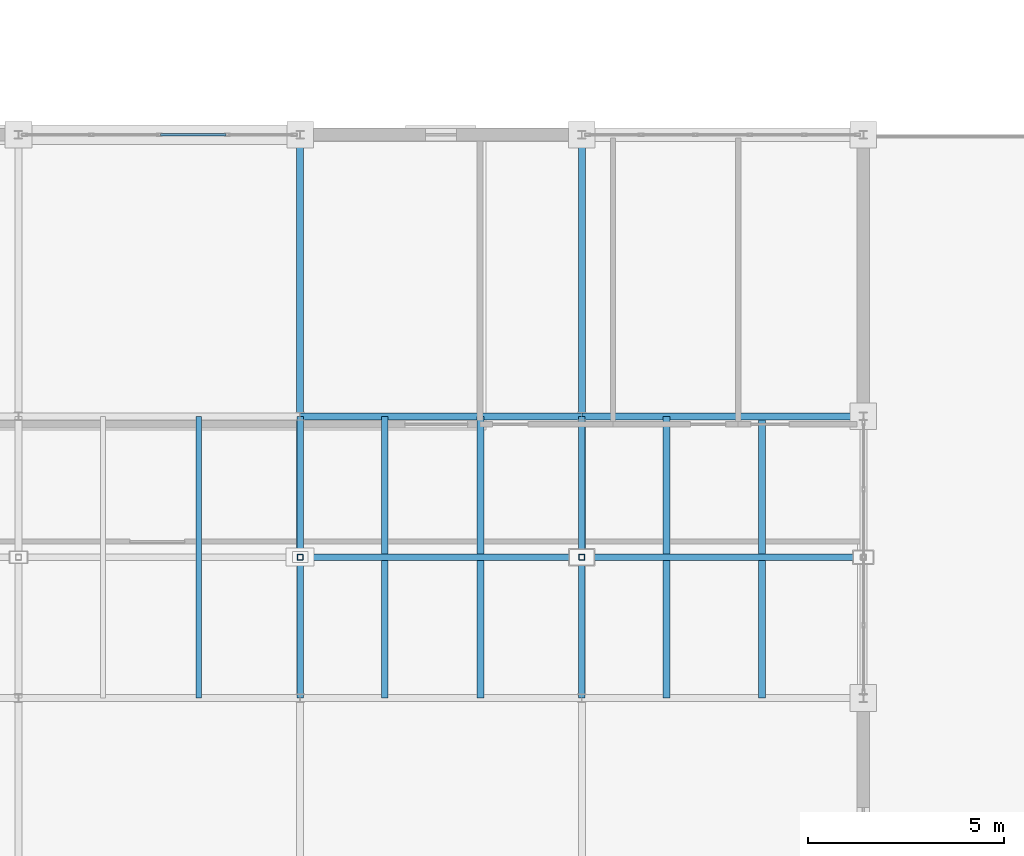
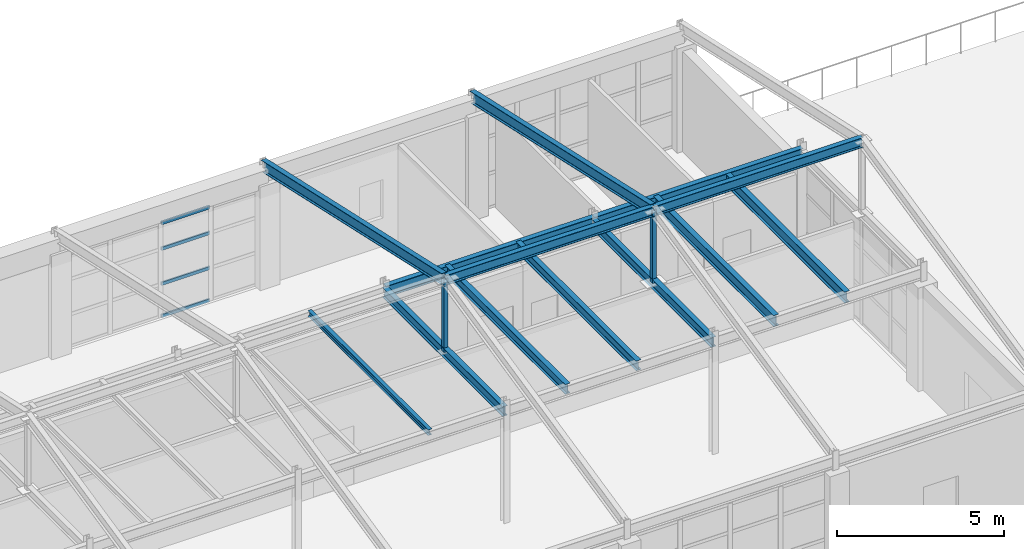
# One storey, part 67 of 101: 13 beams, 6 members, 1 element without a shape of its own.
"""IFC4 building model written with IfcOpenShell, lengths in metres."""

import ifcopenshell
import ifcopenshell.guid

model = None  # the IFC model being written
_history = None  # IfcOwnerHistory: only IFC2X3 demands one
_inside = {}  # id of a spatial element -> (the spatial element, [elements in it])
_under = {}  # id of a project, library or spatial element -> (it, [spatial elements below it])
_declared = {}  # id of a project -> (the project, [libraries it declares])
_typed = {}  # id of a type object -> (the type object, [elements of that type])
_made_of = {}  # id of a material, layer set ... -> (it, [elements and type objects made of it])


def new_model(schema):
    """Start an empty IFC model of exactly this schema.

    Asked for "IFC4X3", IfcOpenShell would pick the latest addendum, in which some entities
    have other attributes; the version numbers below select the first issue.
    IFC2X3 requires an IfcOwnerHistory on every rooted entity: one is made here for all.
    """
    global model, _history
    if schema == "IFC4X3":
        model = ifcopenshell.file(schema_version=(4, 3, 0, 0))
    else:
        model = ifcopenshell.file(schema=schema)
    _inside.clear()
    _under.clear()
    _declared.clear()
    _typed.clear()
    _made_of.clear()
    _history = None
    if model.schema == "IFC2X3":
        org = make("IfcOrganization", Name="unknown")
        user = make(
            "IfcPersonAndOrganization",
            ThePerson=make("IfcPerson", FamilyName="unknown"),
            TheOrganization=org,
        )
        app = make(
            "IfcApplication",
            ApplicationDeveloper=org,
            Version="unknown",
            ApplicationFullName="unknown",
            ApplicationIdentifier="unknown",
        )
        _history = make(
            "IfcOwnerHistory",
            OwningUser=user,
            OwningApplication=app,
            ChangeAction="ADDED",
            CreationDate=0,
        )
    return model


def make(cls, **values):
    """One entity of the class cls with the attributes given. An attribute that is None is left unset."""
    return model.create_entity(
        cls, **{name: value for name, value in values.items() if value is not None}
    )


def rooted(cls, **values):
    """An entity with a GlobalId (a new one), such as an element, a storey or a relation."""
    return make(cls, GlobalId=ifcopenshell.guid.new(), OwnerHistory=_history, **values)


def si_unit(unit_type, name, prefix=None):
    """IfcSIUnit, for example si_unit("LENGTHUNIT", "METRE", prefix="MILLI")."""
    return make("IfcSIUnit", UnitType=unit_type, Prefix=prefix, Name=name)


def assignment(units):
    """IfcUnitAssignment: the units of a project."""
    return None if units is None else make("IfcUnitAssignment", Units=units)


def point(xyz):
    """IfcCartesianPoint."""
    return None if xyz is None else make("IfcCartesianPoint", Coordinates=xyz)


def direction(xyz):
    """IfcDirection."""
    return None if xyz is None else make("IfcDirection", DirectionRatios=xyz)


def frame(location, z_axis=None, x_axis=None):
    """IfcAxis2Placement3D, a coordinate frame: its origin and axes. An axis left out is left unset."""
    return make(
        "IfcAxis2Placement3D",
        Location=point(location),
        Axis=direction(z_axis),
        RefDirection=direction(x_axis),
    )


def frame_2d(location, x_axis=None):
    """IfcAxis2Placement2D, a coordinate frame in the plane: its origin and x axis."""
    return make(
        "IfcAxis2Placement2D", Location=point(location), RefDirection=direction(x_axis)
    )


def origin():
    """The frame at (0, 0, 0) with its axes left unset."""
    return frame((0.0, 0.0, 0.0))


def origin_2d():
    """The frame at (0, 0) in the plane with its x axis left unset."""
    return frame_2d((0.0, 0.0))


def place(relative_to, where):
    """IfcLocalPlacement: puts the frame where relative to a parent placement (None: the world)."""
    return make(
        "IfcLocalPlacement", PlacementRelTo=relative_to, RelativePlacement=where
    )


def context(
    kind, dimensions, precision=None, world=None, true_north=None, identifier=None
):
    """IfcGeometricRepresentationContext, for example the 3D "Model" context."""
    return make(
        "IfcGeometricRepresentationContext",
        ContextIdentifier=identifier,
        ContextType=kind,
        CoordinateSpaceDimension=dimensions,
        Precision=precision,
        WorldCoordinateSystem=world,
        TrueNorth=true_north,
    )


def subcontext(parent, identifier, kind, view, scale=None):
    """IfcGeometricRepresentationSubContext, for example "Body" below "Model"."""
    return make(
        "IfcGeometricRepresentationSubContext",
        ContextIdentifier=identifier,
        ContextType=kind,
        ParentContext=parent,
        TargetScale=scale,
        TargetView=view,
    )


def project(units=None, contexts=None):
    """IfcProject with its units and contexts."""
    return rooted(
        "IfcProject",
        Name="project",
        RepresentationContexts=contexts,
        UnitsInContext=assignment(units),
    )


def spatial(cls, under=None, at=None, **own):
    """A site, building, storey or space (cls), placed at a placement, below another one or the project."""
    s = rooted(cls, ObjectPlacement=at, **own)
    if under is not None:
        _under.setdefault(under.id(), (under, []))[1].append(s)
    return s


def profile(cls, at=None, kind="AREA", **sizes):
    """A parametric profile (cls). Its sizes go by their IFC names, for example OverallWidth=200.0."""
    return make(cls, ProfileType=kind, Position=at, **sizes)


def hollow_rectangle(**sizes):
    """IfcRectangleHollowProfileDef."""
    return profile("IfcRectangleHollowProfileDef", **sizes)


def i_section(**sizes):
    """IfcIShapeProfileDef."""
    return profile("IfcIShapeProfileDef", **sizes)


def extrude(swept, where, along, depth):
    """IfcExtrudedAreaSolid: the profile swept, set in the frame where, extruded along a direction by depth."""
    return make(
        "IfcExtrudedAreaSolid",
        SweptArea=swept,
        Position=where,
        ExtrudedDirection=direction(along),
        Depth=depth,
    )


def shape(context_of_items, identifier, shape_type, items):
    """IfcShapeRepresentation: the items that make up one representation, for example the "Body"."""
    return make(
        "IfcShapeRepresentation",
        ContextOfItems=context_of_items,
        RepresentationIdentifier=identifier,
        RepresentationType=shape_type,
        Items=items,
    )


def material(Name=None, Category=None):
    """IfcMaterial."""
    return make("IfcMaterial", Name=Name, Category=Category)


def layer(
    of_material, thickness, ventilated=None, Name=None, Category=None, Priority=None
):
    """IfcMaterialLayer: one layer of a wall or slab, of a material (None: an air gap)."""
    return make(
        "IfcMaterialLayer",
        Material=of_material,
        LayerThickness=thickness,
        IsVentilated=ventilated,
        Name=Name,
        Category=Category,
        Priority=Priority,
    )


def layer_set(layers, Name=None):
    """IfcMaterialLayerSet."""
    return make("IfcMaterialLayerSet", MaterialLayers=layers, LayerSetName=Name)


def material_profile(
    of_material, cross_section, Name=None, Category=None, Priority=None
):
    """IfcMaterialProfile: a cross section and its material."""
    return make(
        "IfcMaterialProfile",
        Name=Name,
        Material=of_material,
        Profile=cross_section,
        Priority=Priority,
        Category=Category,
    )


def profile_set(profiles, Name=None, composite=None):
    """IfcMaterialProfileSet."""
    return make(
        "IfcMaterialProfileSet",
        Name=Name,
        MaterialProfiles=profiles,
        CompositeProfile=composite,
    )


def made_of(thing, what):
    """Note that an element or type object is made of a material, layer set ...; save() writes the relation."""
    if what is not None:
        _made_of.setdefault(what.id(), (what, []))[1].append(thing)
    return thing


def type_object(cls, material=None, **own):
    """A type object (cls), such as IfcWallType, which elements share."""
    return made_of(rooted(cls, **own), material)


def element(
    cls,
    number,
    at=None,
    inside=None,
    cuts=None,
    type_object=None,
    material=None,
    context=None,
    identifier="Body",
    shape_type=None,
    held_by="IfcProductDefinitionShape",
    body=None,
    shapes=None,
    **own,
):
    """One element of the class cls, such as IfcWall. Its Tag is "e" and its number.

    at: its placement. inside: the storey or other place that contains it. cuts: it is an
    opening in that element (IfcRelVoidsElement). A single representation is given by context,
    identifier, shape_type and body (its items); several are given by shapes. held_by: the class
    of the entity that holds the representations. save() writes the other relations.
    """
    e = rooted(cls, Tag="e%d" % number, ObjectPlacement=at, **own)
    if body is not None:
        shapes = [shape(context, identifier, shape_type, body)]
    if shapes is not None:
        e.Representation = make(held_by, Representations=shapes)
    if inside is not None:
        _inside.setdefault(inside.id(), (inside, []))[1].append(e)
    if cuts is not None:
        rooted(
            "IfcRelVoidsElement", RelatingBuildingElement=cuts, RelatedOpeningElement=e
        )
    if type_object is not None:
        _typed.setdefault(type_object.id(), (type_object, []))[1].append(e)
    return made_of(e, material)


def aggregate(whole, parts):
    """IfcRelAggregates: a whole, such as a stair, and the parts it consists of."""
    return rooted("IfcRelAggregates", RelatingObject=whole, RelatedObjects=parts)


def save(model, path):
    """Write the relations noted so far, then the file.

    IfcRelAggregates (storeys below a building ...), IfcRelContainedInSpatialStructure (elements
    in a storey), IfcRelDefinesByType, IfcRelAssociatesMaterial and IfcRelDeclares: one each for
    every whole, place, type object, material and project.
    """
    for whole, parts in _under.values():
        aggregate(whole, parts)
    for where, things in _inside.values():
        rooted(
            "IfcRelContainedInSpatialStructure",
            RelatedElements=things,
            RelatingStructure=where,
        )
    for kind, things in _typed.values():
        rooted("IfcRelDefinesByType", RelatedObjects=things, RelatingType=kind)
    for what, things in _made_of.values():
        rooted("IfcRelAssociatesMaterial", RelatedObjects=things, RelatingMaterial=what)
    for by, libraries in _declared.values():
        rooted("IfcRelDeclares", RelatingContext=by, RelatedDefinitions=libraries)
    model.write(path)


model = new_model("IFC4")

# Units and contexts
model_context = context("Model", 3, precision=1e-05, world=origin(), true_north=direction((0.0, 1.0)))
body_context = subcontext(model_context, "Body", "Model", "MODEL_VIEW")
ifc_project = project(units=[si_unit("LENGTHUNIT", "METRE"), si_unit("AREAUNIT", "SQUARE_METRE"), si_unit("VOLUMEUNIT", "CUBIC_METRE"), si_unit("PLANEANGLEUNIT", "RADIAN"), si_unit("MASSUNIT", "GRAM", prefix="KILO")], contexts=[model_context])

# Site, building, storey
site_placement = place(None, origin())
site = spatial("IfcSite", under=ifc_project, at=site_placement, CompositionType="ELEMENT")
building_placement = place(site_placement, origin())
building = spatial("IfcBuilding", under=site, at=building_placement, Name="Kemerveld Promenade Tramway Depot", CompositionType="ELEMENT")
storey_placement = place(building_placement, frame((0.0, 0.0, 9.89990234375)))
storey = spatial("IfcBuildingStorey", under=building, at=storey_placement, Name="L02", CompositionType="ELEMENT", Elevation=9.89990234375)

# Beams
ifc_material_1 = material(Name="Steel S355", Category="steel")
ifc_material_profile_1 = material_profile(ifc_material_1, i_section(OverallWidth=0.1787109375, OverallDepth=0.409423828125, WebThickness=0.0087890625, FlangeThickness=0.014404296875, FilletRadius=0.01025390625, at=origin_2d()), Name="406x178x67 UB")
ifc_profile_set_1 = profile_set([ifc_material_profile_1], Name="Steel S355")
beam_type_1 = type_object("IfcBeamType", Name="BM-G07", PredefinedType="BEAM", material=ifc_profile_set_1)
beam_1_placement = place(storey_placement, frame((115.199951171875, 21.60009765625, 4.0703125), z_axis=(1.0, 0.0, 0.0), x_axis=(0.0, 1.0, 0.0)))
element("IfcBeam", 1, at=beam_1_placement, inside=storey, type_object=beam_type_1, Name="BMX-L02-17-18-D", PredefinedType="BEAM", context=body_context, shape_type="SweptSolid", body=[
    extrude(i_section(OverallWidth=0.1787109375, OverallDepth=0.409423828125, WebThickness=0.0087890625, FlangeThickness=0.014404296875, FilletRadius=0.01025390625, at=origin_2d()), origin(), (0.0, 0.0, 1.0), 7.199951171875),
])
beam_2_placement = place(storey_placement, frame((122.39990234375, 21.60009765625, 4.0703125), z_axis=(1.0, 0.0, 0.0), x_axis=(0.0, 1.0, 0.0)))
element("IfcBeam", 2, at=beam_2_placement, inside=storey, type_object=beam_type_1, Name="BMX-L02-18-19-D", PredefinedType="BEAM", context=body_context, shape_type="SweptSolid", body=[
    extrude(i_section(OverallWidth=0.1787109375, OverallDepth=0.409423828125, WebThickness=0.0087890625, FlangeThickness=0.014404296875, FilletRadius=0.01025390625, at=origin_2d()), origin(), (0.0, 0.0, 1.0), 7.2001953125),
])
for number, where, z_axis, x_axis, name in (
    (3, (115.199951171875, 18.0, 6.67529296875), (0.0, 0.976189137057, -0.216921111677), (-1.0, 0.0, 0.0), "RAF-V4-17-N"),
    (4, (122.39990234375, 18.0, 6.67529296875), (0.0, 0.976189137057, -0.216921111677), (-1.0, 0.0, 0.0), "RAF-V4-18-N"),
):
    element("IfcBeam", number, at=place(storey_placement, frame(where, z_axis=z_axis, x_axis=x_axis)), inside=storey, type_object=beam_type_1, Name=name, PredefinedType="BEAM", context=body_context, shape_type="SweptSolid", body=[
        extrude(i_section(OverallWidth=0.1787109375, OverallDepth=0.409423828125, WebThickness=0.0087890625, FlangeThickness=0.014404296875, FilletRadius=0.01025390625, at=origin_2d()), origin(), (0.0, 0.0, 1.0), 11.0634765625),
    ])
ifc_material_profile_2 = material_profile(ifc_material_1, i_section(OverallWidth=0.172119140625, OverallDepth=0.35791015625, WebThickness=0.008056640625, FlangeThickness=0.012939453125, FilletRadius=0.01025390625, at=origin_2d()), Name="356x171x57 UB")
ifc_profile_set_2 = profile_set([ifc_material_profile_2], Name="Steel S355")
beam_type_2 = type_object("IfcBeamType", Name="BM-G08", PredefinedType="BEAM", material=ifc_profile_set_2)
for number, where, z_axis, x_axis, name in (
    (5, (115.199951171875, 14.39990234375, 4.041015625), (0.0, 1.0, 0.0), (-1.0, 0.0, 0.0), "BMY-L02-17-C-D"),
    (6, (122.39990234375, 14.39990234375, 4.041015625), (0.0, 1.0, 0.0), (-1.0, 0.0, 0.0), "BMY-L02-18-C-D"),
):
    element("IfcBeam", number, at=place(storey_placement, frame(where, z_axis=z_axis, x_axis=x_axis)), inside=storey, type_object=beam_type_2, Name=name, PredefinedType="BEAM", context=body_context, shape_type="SweptSolid", body=[
        extrude(i_section(OverallWidth=0.172119140625, OverallDepth=0.35791015625, WebThickness=0.008056640625, FlangeThickness=0.012939453125, FilletRadius=0.01025390625, at=origin_2d()), origin(), (0.0, 0.0, 1.0), 7.2001953125),
    ])
beam_3_placement = place(storey_placement, frame((115.199951171875, 18.0, 6.67529296875), z_axis=(1.0, 0.0, 0.0), x_axis=(0.0, 1.0, 0.0)))
element("IfcBeam", 7, at=beam_3_placement, inside=storey, type_object=beam_type_2, Name="BM-RDG-V4-9", PredefinedType="BEAM", context=body_context, shape_type="SweptSolid", body=[
    extrude(i_section(OverallWidth=0.172119140625, OverallDepth=0.35791015625, WebThickness=0.008056640625, FlangeThickness=0.012939453125, FilletRadius=0.01025390625, at=origin_2d()), origin(), (0.0, 0.0, 1.0), 7.199951171875),
])
beam_4_placement = place(storey_placement, frame((122.39990234375, 18.0, 6.67529296875), z_axis=(1.0, 0.0, 0.0), x_axis=(0.0, 1.0, 0.0)))
element("IfcBeam", 8, at=beam_4_placement, inside=storey, type_object=beam_type_2, Name="BM-RDG-V4-10", PredefinedType="BEAM", context=body_context, shape_type="SweptSolid", body=[
    extrude(i_section(OverallWidth=0.172119140625, OverallDepth=0.35791015625, WebThickness=0.008056640625, FlangeThickness=0.012939453125, FilletRadius=0.01025390625, at=origin_2d()), origin(), (0.0, 0.0, 1.0), 7.2001953125),
])
ifc_material_profile_3 = material_profile(ifc_material_1, i_section(OverallWidth=0.13330078125, OverallDepth=0.203125, WebThickness=0.005615234375, FlangeThickness=0.0078125, FilletRadius=0.007568359375, at=origin_2d()), Name="203x133x25 UB")
ifc_profile_set_3 = profile_set([ifc_material_profile_3], Name="Steel S355")
beam_type_3 = type_object("IfcBeamType", Name="BM-J03", PredefinedType="JOIST", material=ifc_profile_set_3)
beam_5_placement = place(storey_placement, frame((112.60791015625, 14.39990234375, 4.173583984375), z_axis=(0.0, 1.0, 0.0), x_axis=(-1.0, 0.0, 0.0)))
element("IfcBeam", 9, at=beam_5_placement, inside=storey, type_object=beam_type_3, Name="JST-L02-16-C-2", PredefinedType="JOIST", context=body_context, shape_type="SweptSolid", body=[
    extrude(i_section(OverallWidth=0.13330078125, OverallDepth=0.203125, WebThickness=0.005615234375, FlangeThickness=0.0078125, FilletRadius=0.007568359375, at=origin_2d()), origin(), (0.0, 0.0, 1.0), 7.2001953125),
])
ifc_material_profile_4 = material_profile(ifc_material_1, i_section(OverallWidth=0.172119140625, OverallDepth=0.35791015625, WebThickness=0.008056640625, FlangeThickness=0.012939453125, FilletRadius=0.01025390625, at=origin_2d()), Name="356x171x57 UB")
ifc_profile_set_4 = profile_set([ifc_material_profile_4], Name="Steel S355")
beam_type_4 = type_object("IfcBeamType", Name="BM-J04", PredefinedType="JOIST", material=ifc_profile_set_4)
for number, where, z_axis, x_axis, name in (
    (10, (117.360107421875, 14.39990234375, 4.09619140625), (0.0, 1.0, 0.0), (-1.0, 0.0, 0.0), "JST-L02-17-C-1"),
    (11, (119.80810546875, 14.39990234375, 4.09619140625), (0.0, 1.0, 0.0), (-1.0, 0.0, 0.0), "JST-L02-17-C-2"),
):
    element("IfcBeam", number, at=place(storey_placement, frame(where, z_axis=z_axis, x_axis=x_axis)), inside=storey, type_object=beam_type_4, Name=name, PredefinedType="JOIST", context=body_context, shape_type="SweptSolid", body=[
        extrude(i_section(OverallWidth=0.172119140625, OverallDepth=0.35791015625, WebThickness=0.008056640625, FlangeThickness=0.012939453125, FilletRadius=0.01025390625, at=origin_2d()), origin(), (0.0, 0.0, 1.0), 7.2001953125),
    ])
ifc_material_profile_5 = material_profile(ifc_material_1, i_section(OverallWidth=0.1787109375, OverallDepth=0.409423828125, WebThickness=0.0087890625, FlangeThickness=0.014404296875, FilletRadius=0.01025390625, at=origin_2d()), Name="406x178x67 UB")
ifc_profile_set_5 = profile_set([ifc_material_profile_5], Name="Steel S355")
beam_type_5 = type_object("IfcBeamType", Name="BM-J05", PredefinedType="JOIST", material=ifc_profile_set_5)
for number, where, z_axis, x_axis, name in (
    (12, (124.56005859375, 14.39990234375, 4.0703125), (0.0, 1.0, 0.0), (-1.0, 0.0, 0.0), "JST-L02-18-C-1"),
    (13, (127.008056640625, 14.39990234375, 4.0703125), (0.0, 1.0, 0.0), (-1.0, 0.0, 0.0), "JST-L02-18-C-2"),
):
    element("IfcBeam", number, at=place(storey_placement, frame(where, z_axis=z_axis, x_axis=x_axis)), inside=storey, type_object=beam_type_5, Name=name, PredefinedType="JOIST", context=body_context, shape_type="SweptSolid", body=[
        extrude(i_section(OverallWidth=0.1787109375, OverallDepth=0.409423828125, WebThickness=0.0087890625, FlangeThickness=0.014404296875, FilletRadius=0.01025390625, at=origin_2d()), origin(), (0.0, 0.0, 1.0), 7.2001953125),
    ])

# Curtain wall, members
ifc_material_2 = material(Name="Bronze anodised aluminium and solar glass", Category="aluminium")
ifc_layer = layer(ifc_material_2, 0.159912109375)
ifc_layer_set = layer_set([ifc_layer], Name="CW-SYS-11")
curtain_wall_type = type_object("IfcCurtainWallType", Name="CW-SYS-11", PredefinedType="USERDEFINED", material=ifc_layer_set)
curtain_wall_placement = place(storey_placement, origin())
curtain_wall = element("IfcCurtainWall", 14, at=curtain_wall_placement, inside=storey, type_object=curtain_wall_type, Name="CW-L02-V4N-08", ObjectType="GLAZED_CURTAIN_WALL", PredefinedType="USERDEFINED")
ifc_material_3 = material(Name="Bronze anodised aluminium", Category="aluminium")
ifc_material_profile_6 = material_profile(ifc_material_3, hollow_rectangle(XDim=0.06005859375, YDim=0.1201171875, WallThickness=0.00390625, InnerFilletRadius=0.001953125, OuterFilletRadius=0.00390625, at=origin_2d()), Name="CW-TRN-120x60")
ifc_profile_set_6 = profile_set([ifc_material_profile_6], Name="Bronze anodised aluminium")
member_type_1 = type_object("IfcMemberType", Name="CW-TRN-A", PredefinedType="USERDEFINED", material=ifc_profile_set_6)
member_1_placement = place(storey_placement, frame((111.632568359375, 28.800048828125, 0.030029296875), z_axis=(1.0, 0.0, 0.0), x_axis=(0.0, 1.0, 0.0)))
member_1 = element("IfcMember", 15, at=member_1_placement, type_object=member_type_1, Name="CW11 transom 3.1", ObjectType="TRANSOM", PredefinedType="USERDEFINED", context=body_context, shape_type="SweptSolid", body=[
    extrude(hollow_rectangle(XDim=0.06005859375, YDim=0.1201171875, WallThickness=0.00390625, InnerFilletRadius=0.001953125, OuterFilletRadius=0.00390625, at=origin_2d()), origin(), (0.0, 0.0, 1.0), 1.672607421875),
])
member_2_placement = place(storey_placement, frame((111.632568359375, 28.800048828125, 1.208984375), z_axis=(1.0, 0.0, 0.0), x_axis=(0.0, 1.0, 0.0)))
member_2 = element("IfcMember", 16, at=member_2_placement, type_object=member_type_1, Name="CW11 transom 3.2", ObjectType="TRANSOM", PredefinedType="USERDEFINED", context=body_context, shape_type="SweptSolid", body=[
    extrude(hollow_rectangle(XDim=0.06005859375, YDim=0.1201171875, WallThickness=0.00390625, InnerFilletRadius=0.001953125, OuterFilletRadius=0.00390625, at=origin_2d()), origin(), (0.0, 0.0, 1.0), 1.672607421875),
])
member_3_placement = place(storey_placement, frame((111.632568359375, 28.800048828125, 2.488037109375), z_axis=(1.0, 0.0, 0.0), x_axis=(0.0, 1.0, 0.0)))
member_3 = element("IfcMember", 17, at=member_3_placement, type_object=member_type_1, Name="CW11 transom 3.3", ObjectType="TRANSOM", PredefinedType="USERDEFINED", context=body_context, shape_type="SweptSolid", body=[
    extrude(hollow_rectangle(XDim=0.06005859375, YDim=0.1201171875, WallThickness=0.00390625, InnerFilletRadius=0.001953125, OuterFilletRadius=0.00390625, at=origin_2d()), origin(), (0.0, 0.0, 1.0), 1.672607421875),
])
member_4_placement = place(storey_placement, frame((111.632568359375, 28.800048828125, 3.425048828125), z_axis=(1.0, 0.0, 0.0), x_axis=(0.0, 1.0, 0.0)))
member_4 = element("IfcMember", 18, at=member_4_placement, type_object=member_type_1, Name="CW11 transom 3.4", ObjectType="TRANSOM", PredefinedType="USERDEFINED", context=body_context, shape_type="SweptSolid", body=[
    extrude(hollow_rectangle(XDim=0.06005859375, YDim=0.1201171875, WallThickness=0.00390625, InnerFilletRadius=0.001953125, OuterFilletRadius=0.00390625, at=origin_2d()), origin(), (0.0, 0.0, 1.0), 1.672607421875),
])
aggregate(curtain_wall, [member_1, member_2, member_3, member_4])

# Members
ifc_material_profile_7 = material_profile(ifc_material_1, hollow_rectangle(XDim=0.14990234375, YDim=0.14990234375, WallThickness=0.008056640625, InnerFilletRadius=0.00390625, OuterFilletRadius=0.011962890625, at=origin_2d()), Name="150x150x8.0 SHS")
ifc_profile_set_7 = profile_set([ifc_material_profile_7], Name="Steel S355")
member_type_2 = type_object("IfcMemberType", Name="MB-TP2", PredefinedType="POST", material=ifc_profile_set_7)
for number, where, z_axis, x_axis, name in (
    (19, (115.199951171875, 18.0, 4.050048828125), (0.0, 0.0, 1.0), (1.0, 0.0, 0.0), "POST-RDG-V4-17"),
    (20, (122.39990234375, 18.0, 4.050048828125), (0.0, 0.0, 1.0), (1.0, 0.0, 0.0), "POST-RDG-V4-18"),
):
    element("IfcMember", number, at=place(storey_placement, frame(where, z_axis=z_axis, x_axis=x_axis)), inside=storey, type_object=member_type_2, Name=name, PredefinedType="POST", context=body_context, shape_type="SweptSolid", body=[
        extrude(hollow_rectangle(XDim=0.14990234375, YDim=0.14990234375, WallThickness=0.008056640625, InnerFilletRadius=0.00390625, OuterFilletRadius=0.011962890625, at=origin_2d()), origin(), (0.0, 0.0, 1.0), 2.665283203125),
    ])

save(model, "model.ifc")
